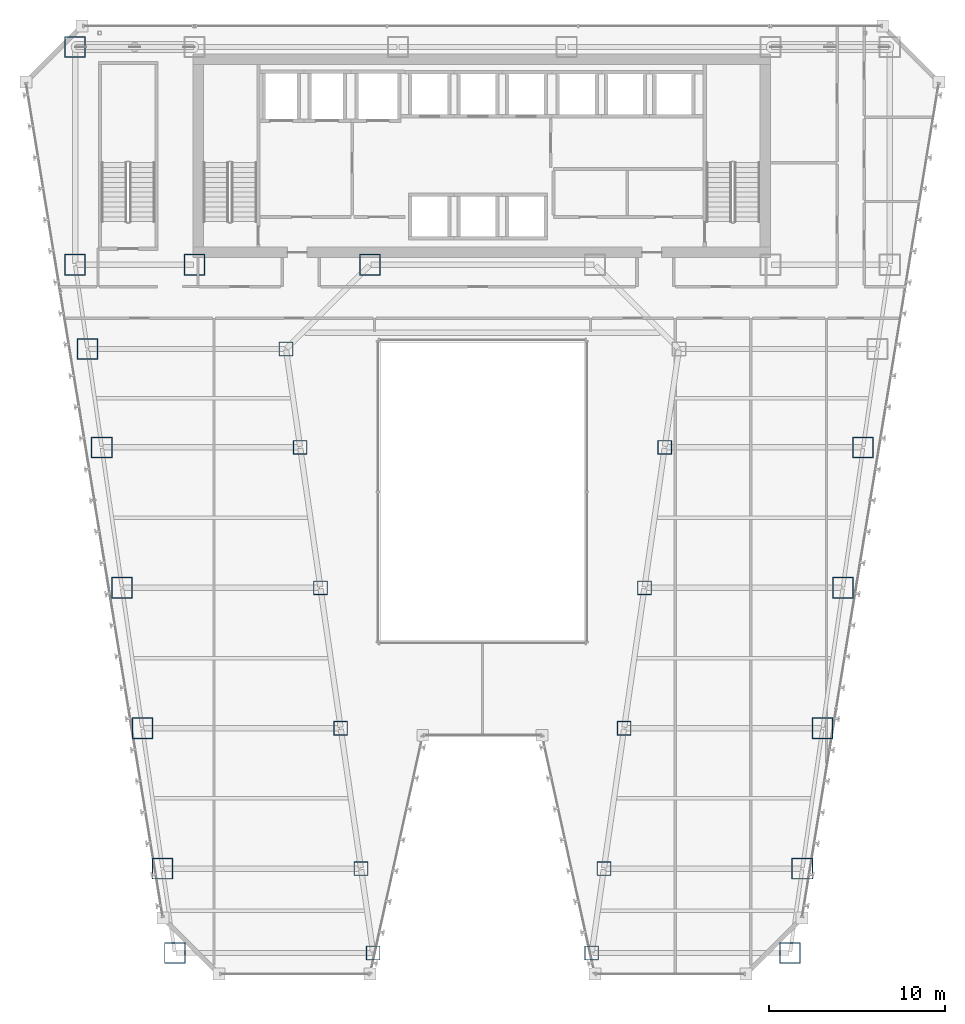
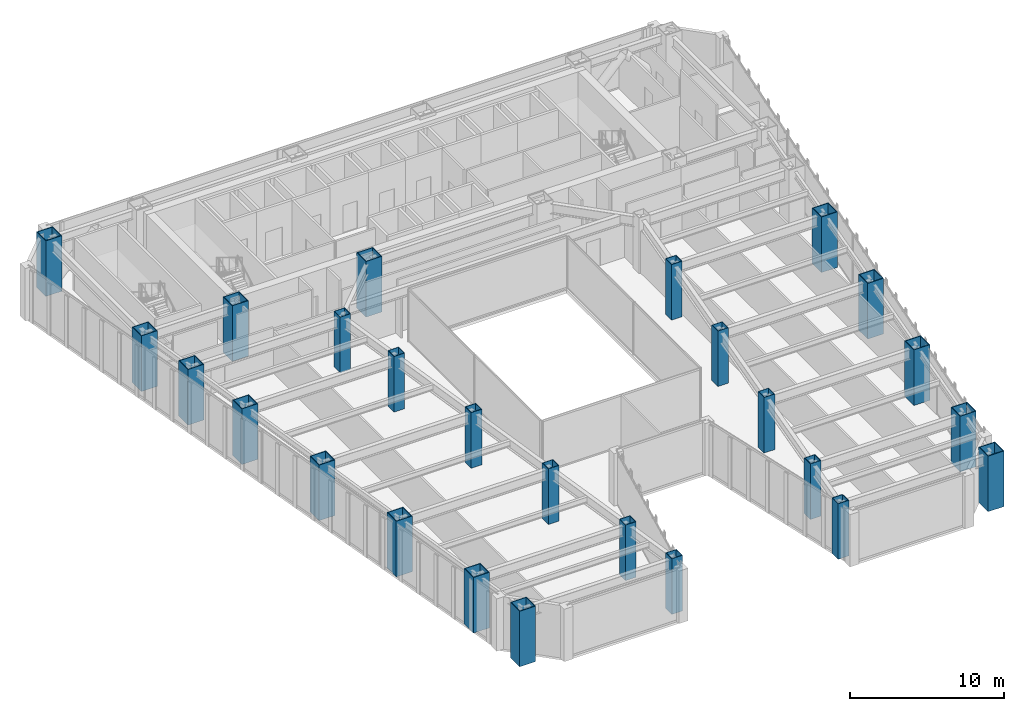
# One storey, part 1 of 47: 26 columns.
"""IFC4 building model written with IfcOpenShell, lengths in metres."""

from ifc_helpers import new_model, si_unit, direction, frame, origin, origin_2d, place, context, subcontext, project, spatial, hollow_rectangle, extrude, material, material_profile, profile_set, type_object, element, save


model = new_model("IFC4")

# Units and contexts
model_context = context("Model", 3, precision=1e-05, world=origin(), true_north=direction((0.0, 1.0)))
body_context = subcontext(model_context, "Body", "Model", "MODEL_VIEW")
ifc_project = project(units=[si_unit("LENGTHUNIT", "METRE"), si_unit("AREAUNIT", "SQUARE_METRE"), si_unit("VOLUMEUNIT", "CUBIC_METRE"), si_unit("PLANEANGLEUNIT", "RADIAN"), si_unit("MASSUNIT", "GRAM", prefix="KILO")], contexts=[model_context])

# Site, building, storey
site_placement = place(None, origin())
site = spatial("IfcSite", under=ifc_project, at=site_placement, CompositionType="ELEMENT")
building_placement = place(site_placement, origin())
building = spatial("IfcBuilding", under=site, at=building_placement, Name="Saevonmaru Cultural Tower", CompositionType="ELEMENT")
storey_placement = place(building_placement, frame((0.0, 0.0, 56.0)))
storey = spatial("IfcBuildingStorey", under=building, at=storey_placement, Name="L11", CompositionType="ELEMENT", Elevation=56.0)

# Columns
ifc_material_1 = material(Name="Steel HSA600 (600 MPa)", Category="steel")
ifc_material_profile_1 = material_profile(ifc_material_1, hollow_rectangle(XDim=1.199951171875, YDim=1.199951171875, WallThickness=0.054931640625, at=origin_2d()), Name="BOX-1200x1200x55")
ifc_profile_set_1 = profile_set([ifc_material_profile_1], Name="Steel HSA600 (600 MPa)")
column_type_1 = type_object("IfcColumnType", Name="COL-BOX-1200", PredefinedType="COLUMN", material=ifc_profile_set_1)
for number, where, z_axis, x_axis, name in (
    (1, (6.800048828125, 54.800048828125, 0.0), (0.0, 0.0, 1.0), (1.0, 0.0, 0.0), "L11 Column TC-N1N"),
    (2, (6.800048828125, 42.39990234375, 0.0), (0.0, 0.0, 1.0), (1.0, 0.0, 0.0), "L11 Column TC-S1C"),
    (3, (13.60009765625, 42.39990234375, 0.0), (0.0, 0.0, 1.0), (1.0, 0.0, 0.0), "L11 Column TC-S2C"),
    (4, (23.60009765625, 42.39990234375, 0.0), (0.0, 0.0, 1.0), (1.0, 0.0, 0.0), "L11 Column TC-S3C"),
    (5, (12.47705078125, 3.199951171875, 0.0), (0.0, 0.0, 1.0), (1.0, 0.0, 0.0), "L11 Column TC-WO-Y032"),
    (6, (47.52294921875, 3.199951171875, 0.0), (0.0, 0.0, 1.0), (1.0, 0.0, 0.0), "L11 Column TC-EO-Y032"),
    (7, (11.782958984375, 8.0, 0.0), (0.0, 0.0, 1.0), (1.0, 0.0, 0.0), "L11 Column TC-WO-Y080"),
    (8, (48.217041015625, 8.0, 0.0), (0.0, 0.0, 1.0), (1.0, 0.0, 0.0), "L11 Column TC-EO-Y080"),
    (9, (10.6279296875, 16.0, 0.0), (0.0, 0.0, 1.0), (1.0, 0.0, 0.0), "L11 Column TC-WO-Y160"),
    (10, (49.3720703125, 16.0, 0.0), (0.0, 0.0, 1.0), (1.0, 0.0, 0.0), "L11 Column TC-EO-Y160"),
    (11, (9.471923828125, 24.0, 0.0), (0.0, 0.0, 1.0), (1.0, 0.0, 0.0), "L11 Column TC-WO-Y240"),
    (12, (50.528076171875, 24.0, 0.0), (0.0, 0.0, 1.0), (1.0, 0.0, 0.0), "L11 Column TC-EO-Y240"),
    (13, (8.31689453125, 32.0, 0.0), (0.0, 0.0, 1.0), (1.0, 0.0, 0.0), "L11 Column TC-WO-Y320"),
    (14, (51.68310546875, 32.0, 0.0), (0.0, 0.0, 1.0), (1.0, 0.0, 0.0), "L11 Column TC-EO-Y320"),
    (15, (7.508056640625, 37.60009765625, 0.0), (0.0, 0.0, 1.0), (1.0, 0.0, 0.0), "L11 Column TC-WO-Y376"),
):
    element("IfcColumn", number, at=place(storey_placement, frame(where, z_axis=z_axis, x_axis=x_axis)), inside=storey, type_object=column_type_1, Name=name, PredefinedType="COLUMN", context=body_context, shape_type="SweptSolid", body=[
        extrude(hollow_rectangle(XDim=1.199951171875, YDim=1.199951171875, WallThickness=0.054931640625, at=origin_2d()), origin(), (0.0, 0.0, 1.0), 4.39990234375),
    ])
ifc_material_2 = material(Name="Steel SM420", Category="steel")
ifc_material_profile_2 = material_profile(ifc_material_2, hollow_rectangle(XDim=0.800048828125, YDim=0.800048828125, WallThickness=0.035888671875, at=origin_2d()), Name="BOX-800x800x36")
ifc_profile_set_2 = profile_set([ifc_material_profile_2], Name="Steel SM420")
column_type_2 = type_object("IfcColumnType", Name="COL-BOX-800", PredefinedType="COLUMN", material=ifc_profile_set_2)
for number, where, z_axis, x_axis, name in (
    (16, (23.777099609375, 3.199951171875, 0.0), (0.0, 0.0, 1.0), (1.0, 0.0, 0.0), "L11 Column TC-WI-Y032"),
    (17, (36.222900390625, 3.199951171875, 0.0), (0.0, 0.0, 1.0), (1.0, 0.0, 0.0), "L11 Column TC-EI-Y032"),
    (18, (23.0830078125, 8.0, 0.0), (0.0, 0.0, 1.0), (1.0, 0.0, 0.0), "L11 Column TC-WI-Y080"),
    (19, (36.9169921875, 8.0, 0.0), (0.0, 0.0, 1.0), (1.0, 0.0, 0.0), "L11 Column TC-EI-Y080"),
    (20, (21.927978515625, 16.0, 0.0), (0.0, 0.0, 1.0), (1.0, 0.0, 0.0), "L11 Column TC-WI-Y160"),
    (21, (38.072021484375, 16.0, 0.0), (0.0, 0.0, 1.0), (1.0, 0.0, 0.0), "L11 Column TC-EI-Y160"),
    (22, (20.77197265625, 24.0, 0.0), (0.0, 0.0, 1.0), (1.0, 0.0, 0.0), "L11 Column TC-WI-Y240"),
    (23, (39.22802734375, 24.0, 0.0), (0.0, 0.0, 1.0), (1.0, 0.0, 0.0), "L11 Column TC-EI-Y240"),
    (24, (19.616943359375, 32.0, 0.0), (0.0, 0.0, 1.0), (1.0, 0.0, 0.0), "L11 Column TC-WI-Y320"),
    (25, (40.383056640625, 32.0, 0.0), (0.0, 0.0, 1.0), (1.0, 0.0, 0.0), "L11 Column TC-EI-Y320"),
    (26, (18.80810546875, 37.60009765625, 0.0), (0.0, 0.0, 1.0), (1.0, 0.0, 0.0), "L11 Column TC-WI-Y376"),
):
    element("IfcColumn", number, at=place(storey_placement, frame(where, z_axis=z_axis, x_axis=x_axis)), inside=storey, type_object=column_type_2, Name=name, PredefinedType="COLUMN", context=body_context, shape_type="SweptSolid", body=[
        extrude(hollow_rectangle(XDim=0.800048828125, YDim=0.800048828125, WallThickness=0.035888671875, at=origin_2d()), origin(), (0.0, 0.0, 1.0), 4.39990234375),
    ])

save(model, "model.ifc")
